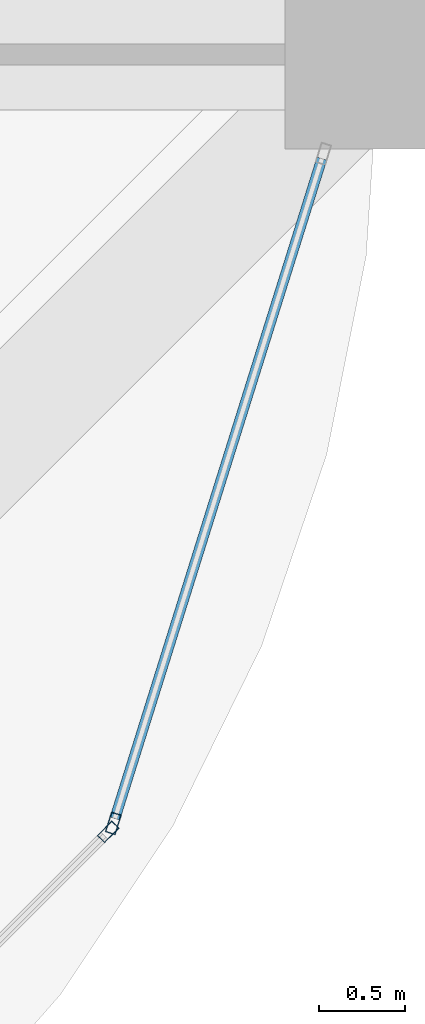
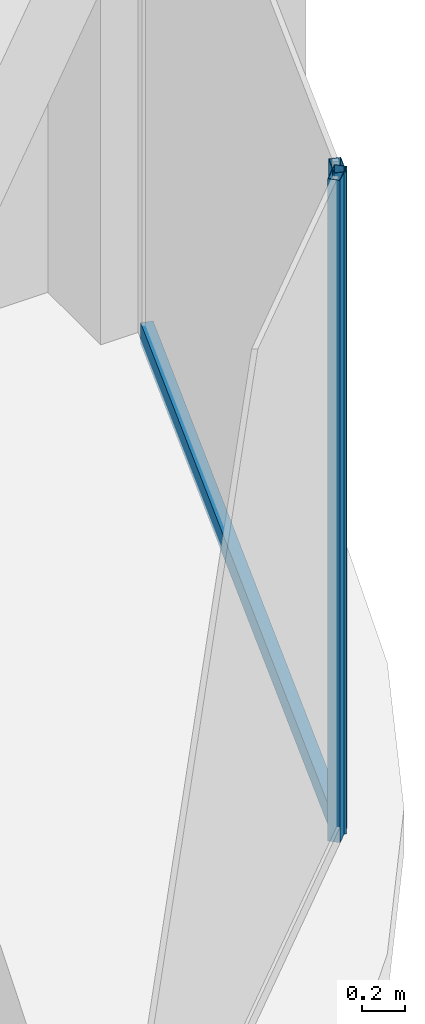
# One storey, part 20 of 44: 3 members, 2 elements without a shape of their own.
"""IFC4 building model written with IfcOpenShell, lengths in metres."""

from ifc_helpers import new_model, si_unit, direction, frame, origin, origin_2d, place, context, subcontext, project, spatial, hollow_rectangle, extrude, material, material_profile, profile_set, type_object, element, aggregate, save


model = new_model("IFC4")

# Units and contexts
model_context = context("Model", 3, precision=1e-05, world=origin(), true_north=direction((0.0, 1.0)))
body_context = subcontext(model_context, "Body", "Model", "MODEL_VIEW")
ifc_project = project(units=[si_unit("LENGTHUNIT", "METRE"), si_unit("AREAUNIT", "SQUARE_METRE"), si_unit("VOLUMEUNIT", "CUBIC_METRE"), si_unit("PLANEANGLEUNIT", "RADIAN"), si_unit("MASSUNIT", "GRAM", prefix="KILO")], contexts=[model_context])

# Site, building, storey
site_placement = place(None, origin())
site = spatial("IfcSite", under=ifc_project, at=site_placement, CompositionType="ELEMENT")
building_placement = place(site_placement, origin())
building = spatial("IfcBuilding", under=site, at=building_placement, Name="Zorevar Civic Tower", CompositionType="ELEMENT")
storey_placement = place(building_placement, frame((0.0, 0.0, 299.39990234375)))
storey = spatial("IfcBuildingStorey", under=building, at=storey_placement, Name="L73", CompositionType="ELEMENT", Elevation=299.39990234375)

# Curtain wall, member
ifc_material_1 = material(Name="Dark grey solar-control glass in black aluminium frame", Category="aluminium")
curtain_wall_type = type_object("IfcCurtainWallType", Name="Curtain wall CW5 top zone", PredefinedType="NOTDEFINED", material=ifc_material_1)
curtain_wall_1_placement = place(storey_placement, origin())
curtain_wall_1 = element("IfcCurtainWall", 1, at=curtain_wall_1_placement, inside=storey, type_object=curtain_wall_type, Name="CW5 L73", PredefinedType="NOTDEFINED")
ifc_material_2 = material(Name="Aluminium, black anodised", Category="aluminium")
ifc_material_profile_1 = material_profile(ifc_material_2, hollow_rectangle(XDim=0.06005859375, YDim=0.1201171875, WallThickness=0.0029296875, at=origin_2d()), Name="AL 120x60x3")
ifc_profile_set_1 = profile_set([ifc_material_profile_1], Name="Aluminium, black anodised")
member_type_1 = type_object("IfcMemberType", Name="CW5 mullion AL 120x60x3", PredefinedType="MULLION", material=ifc_profile_set_1)
member_1_placement = place(storey_placement, frame((52.419677734375, 4.470947265625, 0.0), z_axis=(0.0, 0.0, 1.0), x_axis=(-0.707106781187, 0.707106781187, 0.0)))
member_1 = element("IfcMember", 2, at=member_1_placement, type_object=member_type_1, Name="CW5 mullion 2", PredefinedType="MULLION", context=body_context, shape_type="SweptSolid", body=[
    extrude(hollow_rectangle(XDim=0.06005859375, YDim=0.1201171875, WallThickness=0.0029296875, at=origin_2d()), origin(), (0.0, 0.0, 1.0), 3.75),
])
aggregate(curtain_wall_1, [member_1])

# Curtain wall, members
curtain_wall_2_placement = place(storey_placement, origin())
curtain_wall_2 = element("IfcCurtainWall", 3, at=curtain_wall_2_placement, inside=storey, type_object=curtain_wall_type, Name="CW5 L73", PredefinedType="NOTDEFINED")
member_2_placement = place(storey_placement, frame((52.449951171875, 4.520751953125, 0.0), z_axis=(0.0, 0.0, 1.0), x_axis=(-0.954153437674, 0.299317920238, 0.0)))
member_2 = element("IfcMember", 4, at=member_2_placement, type_object=member_type_1, Name="CW5 mullion 1", PredefinedType="MULLION", context=body_context, shape_type="SweptSolid", body=[
    extrude(hollow_rectangle(XDim=0.06005859375, YDim=0.1201171875, WallThickness=0.0029296875, at=origin_2d()), origin(), (0.0, 0.0, 1.0), 3.75),
])
ifc_material_3 = material(Name="Aluminium, black anodised", Category="aluminium")
ifc_material_profile_2 = material_profile(ifc_material_3, hollow_rectangle(XDim=0.06005859375, YDim=0.1201171875, WallThickness=0.0029296875, at=origin_2d()), Name="AL 120x60x3")
ifc_profile_set_2 = profile_set([ifc_material_profile_2], Name="Aluminium, black anodised")
member_type_2 = type_object("IfcMemberType", Name="CW5 transom AL 120x60x3", PredefinedType="USERDEFINED", material=ifc_profile_set_2)
member_3_placement = place(storey_placement, frame((52.458984375, 4.54931640625, 0.030029296875), z_axis=(0.299285978047, 0.954163457351, 0.0), x_axis=(-0.954163457351, 0.299285978047, 0.0)))
member_3 = element("IfcMember", 5, at=member_3_placement, type_object=member_type_2, Name="CW5 sill transom", ObjectType="TRANSOM", PredefinedType="USERDEFINED", context=body_context, shape_type="SweptSolid", body=[
    extrude(hollow_rectangle(XDim=0.06005859375, YDim=0.1201171875, WallThickness=0.0029296875, at=origin_2d()), origin(), (0.0, 0.0, 1.0), 4.028076171875),
])
aggregate(curtain_wall_2, [member_2, member_3])

save(model, "model.ifc")
